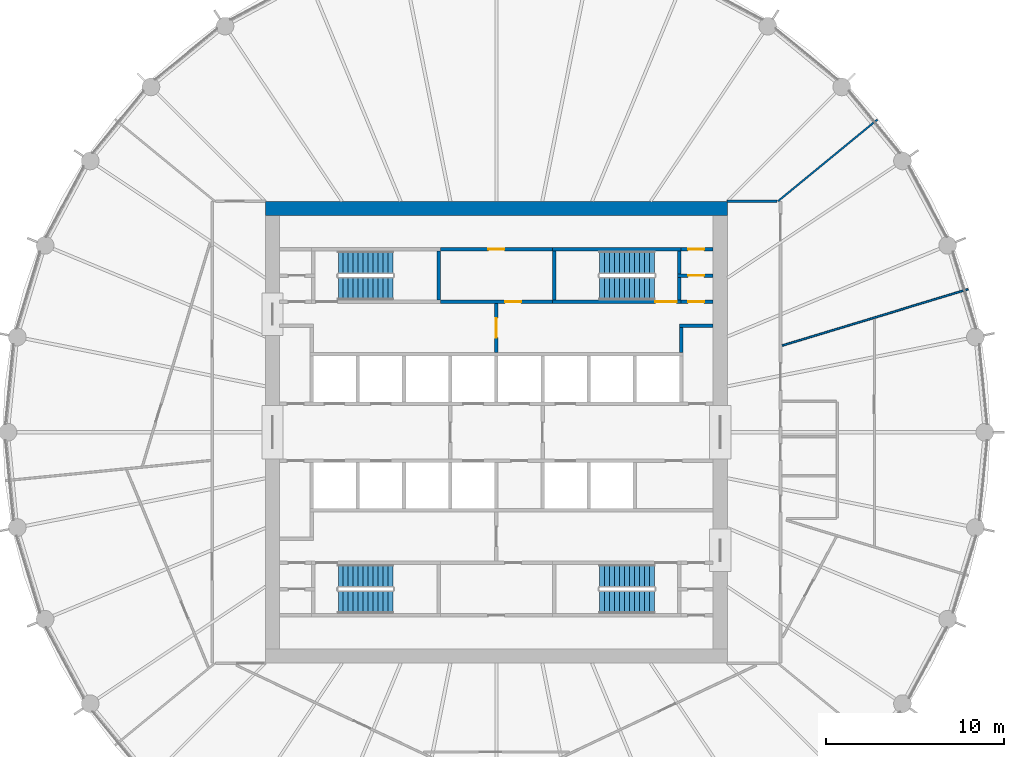
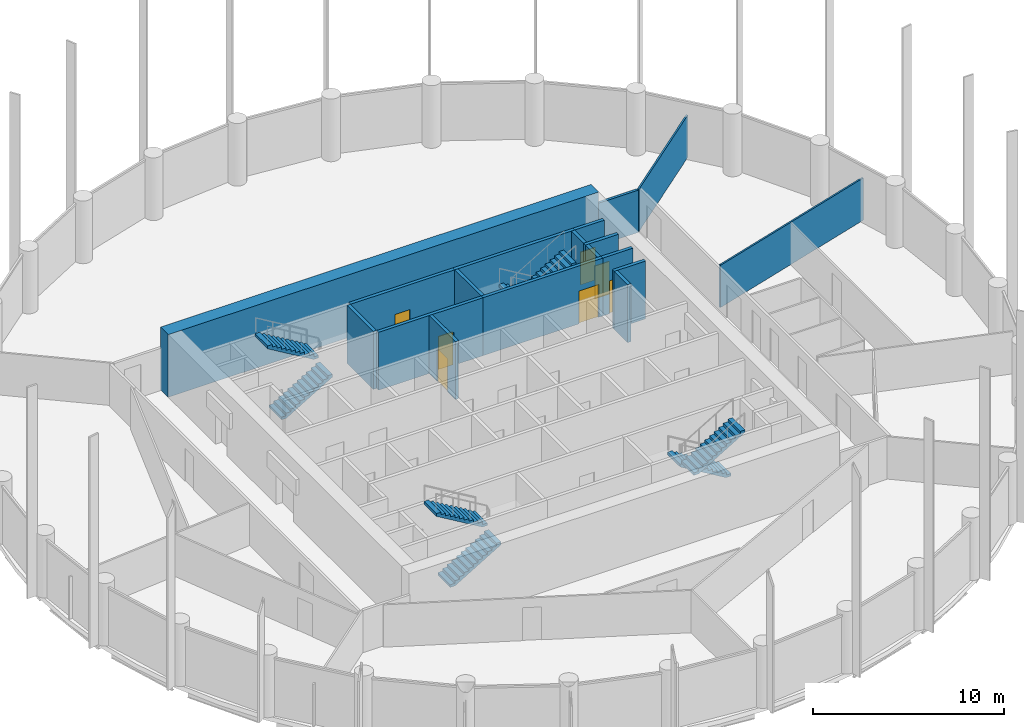
# One storey, part 7 of 8: 18 walls, 8 stair flights, 7 doors, 7 openings, 4 elements without a shape of their own.
"""IFC4 building model written with IfcOpenShell, lengths in metres."""

from ifc_helpers import new_model, si_unit, direction, frame, frame_2d, origin, place, context, subcontext, project, spatial, polyline, rectangle, outline, extrude, material, layer, layer_set, type_object, element, fill, aggregate, save


model = new_model("IFC4")

# Units and contexts
model_context = context("Model", 3, precision=1e-05, world=origin(), true_north=direction((0.0, 1.0)))
body_context = subcontext(model_context, "Body", "Model", "MODEL_VIEW")
ifc_project = project(units=[si_unit("LENGTHUNIT", "METRE"), si_unit("AREAUNIT", "SQUARE_METRE"), si_unit("VOLUMEUNIT", "CUBIC_METRE"), si_unit("PLANEANGLEUNIT", "RADIAN"), si_unit("MASSUNIT", "GRAM", prefix="KILO")], contexts=[model_context])

# Site, building, storey
site_placement = place(None, origin())
site = spatial("IfcSite", under=ifc_project, at=site_placement, CompositionType="ELEMENT")
building_placement = place(site_placement, origin())
building = spatial("IfcBuilding", under=site, at=building_placement, Name="Corvane Civic Tower", CompositionType="ELEMENT")
storey_placement = place(building_placement, frame((0.0, 0.0, 249.5)))
storey = spatial("IfcBuildingStorey", under=building, at=storey_placement, Name="L59", CompositionType="ELEMENT", Elevation=249.5)

# Wall
ifc_material_1 = material(Name="Concrete C50/60", Category="concrete")
ifc_layer_1 = layer(ifc_material_1, 0.800048828125)
ifc_layer_set_1 = layer_set([ifc_layer_1], Name="Concrete C50/60")
wall_type_1 = type_object("IfcWallType", Name="CORE WALL 800 C50/60", PredefinedType="SHEAR", material=ifc_layer_set_1)
wall_1_placement = place(storey_placement, frame((-13.0, 12.60009765625, 0.0), z_axis=(0.0, 0.0, 1.0), x_axis=(1.0, 0.0, 0.0)))
element("IfcWall", 1, at=wall_1_placement, inside=storey, type_object=wall_type_1, Name="W-L59-core-N", PredefinedType="SHEAR", context=body_context, shape_type="SweptSolid", body=[
    extrude(rectangle(XDim=26.0, YDim=0.800048828125, at=frame_2d((13.0, 0.0))), origin(), (0.0, 0.0, 1.0), 4.0),
])

# Wall, opening, door
ifc_material_2 = material(Name="Concrete C30/37", Category="concrete")
ifc_layer_2 = layer(ifc_material_2, 0.199951171875)
ifc_layer_set_2 = layer_set([ifc_layer_2], Name="Concrete C30/37")
wall_type_2 = type_object("IfcWallType", Name="CR-WALL-200", PredefinedType="PARTITIONING", material=ifc_layer_set_2)
wall_2_placement = place(storey_placement, frame((-3.14990234375, 7.35009765625, 0.0), z_axis=(0.0, 0.0, 1.0), x_axis=(1.0, 0.0, 0.0)))
wall_2 = element("IfcWall", 2, at=wall_2_placement, inside=storey, type_object=wall_type_2, Name="L59 partition wall", PredefinedType="PARTITIONING", context=body_context, shape_type="SweptSolid", body=[
    extrude(rectangle(XDim=6.2998046875, YDim=0.199951171875, at=frame_2d((3.14990234375, 0.0))), origin(), (0.0, 0.0, 1.0), 3.699951171875),
])
opening_1_placement = place(wall_2_placement, frame((3.64990234375, 0.0, 0.0)))
opening_1 = element("IfcOpeningElement", 3, at=opening_1_placement, cuts=wall_2, Name="Opening L59.C06", PredefinedType="OPENING", context=body_context, shape_type="SweptSolid", body=[
    extrude(rectangle(XDim=0.89990234375, YDim=2.10009765625, at=frame_2d((0.449951171875, 1.050048828125))), frame((0.0, 0.10986328125, 0.0), z_axis=(0.0, -1.0, 0.0), x_axis=(1.0, 0.0, 0.0)), (0.0, 0.0, 1.0), 0.219970703125),
])
ifc_material_3 = material(Name="Steel fire door leaf", Category="steel")
door_type_1 = type_object("IfcDoorType", Name="CR-DOOR-900", OperationType="SINGLE_SWING_LEFT", PredefinedType="DOOR", material=ifc_material_3)
door_1_placement = place(opening_1_placement, origin())
door_1 = element("IfcDoor", 4, at=door_1_placement, inside=storey, type_object=door_type_1, Name="L59 door", OperationType="SINGLE_SWING_LEFT", OverallHeight=2.10009765625, OverallWidth=0.89990234375, PredefinedType="DOOR", context=body_context, shape_type="SweptSolid", body=[
    extrude(rectangle(XDim=0.89990234375, YDim=2.10009765625, at=frame_2d((0.449951171875, 1.050048828125))), frame((0.0, 0.02490234375, 0.0), z_axis=(0.0, -1.0, 0.0), x_axis=(1.0, 0.0, 0.0)), (0.0, 0.0, 1.0), 0.050048828125),
])
fill(opening_1, door_1)

wall_3_placement = place(storey_placement, frame((10.39990234375, 7.35009765625, 0.0), z_axis=(0.0, 0.0, 1.0), x_axis=(1.0, 0.0, 0.0)))
wall_3 = element("IfcWall", 5, at=wall_3_placement, inside=storey, type_object=wall_type_2, Name="L59 core partition wall", PredefinedType="PARTITIONING", context=body_context, shape_type="SweptSolid", body=[
    extrude(rectangle(XDim=1.800048828125, YDim=0.199951171875, at=frame_2d((0.89990234375, 0.0))), origin(), (0.0, 0.0, 1.0), 3.699951171875),
])
opening_2_placement = place(wall_3_placement, frame((0.39990234375, 0.0, 0.0)))
opening_2 = element("IfcOpeningElement", 6, at=opening_2_placement, cuts=wall_3, Name="Opening L59.C14", PredefinedType="OPENING", context=body_context, shape_type="SweptSolid", body=[
    extrude(rectangle(XDim=0.89990234375, YDim=2.10009765625, at=frame_2d((0.449951171875, 1.050048828125))), frame((0.0, 0.10986328125, 0.0), z_axis=(0.0, -1.0, 0.0), x_axis=(1.0, 0.0, 0.0)), (0.0, 0.0, 1.0), 0.219970703125),
])
door_2_placement = place(opening_2_placement, origin())
door_2 = element("IfcDoor", 7, at=door_2_placement, inside=storey, type_object=door_type_1, Name="L59 door", OperationType="SINGLE_SWING_LEFT", OverallHeight=2.10009765625, OverallWidth=0.89990234375, PredefinedType="DOOR", context=body_context, shape_type="SweptSolid", body=[
    extrude(rectangle(XDim=0.89990234375, YDim=2.10009765625, at=frame_2d((0.449951171875, 1.050048828125))), frame((0.0, 0.02490234375, 0.0), z_axis=(0.0, -1.0, 0.0), x_axis=(1.0, 0.0, 0.0)), (0.0, 0.0, 1.0), 0.050048828125),
])
fill(opening_2, door_2)

wall_4_placement = place(storey_placement, frame((10.199951171875, 8.824951171875, 0.0), z_axis=(0.0, 0.0, 1.0), x_axis=(1.0, 0.0, 0.0)))
wall_4 = element("IfcWall", 8, at=wall_4_placement, inside=storey, type_object=wall_type_2, Name="L59 partition wall", PredefinedType="PARTITIONING", context=body_context, shape_type="SweptSolid", body=[
    extrude(rectangle(XDim=2.0, YDim=0.199951171875, at=frame_2d((1.0, 0.0))), origin(), (0.0, 0.0, 1.0), 3.699951171875),
])
opening_3_placement = place(wall_4_placement, frame((0.60009765625, 0.0, 0.0)))
opening_3 = element("IfcOpeningElement", 9, at=opening_3_placement, cuts=wall_4, Name="Opening L59.C15", PredefinedType="OPENING", context=body_context, shape_type="SweptSolid", body=[
    extrude(rectangle(XDim=0.89990234375, YDim=2.10009765625, at=frame_2d((0.449951171875, 1.050048828125))), frame((0.0, 0.10986328125, 0.0), z_axis=(0.0, -1.0, 0.0), x_axis=(1.0, 0.0, 0.0)), (0.0, 0.0, 1.0), 0.219970703125),
])
door_3_placement = place(opening_3_placement, origin())
door_3 = element("IfcDoor", 10, at=door_3_placement, inside=storey, type_object=door_type_1, Name="L59 door", OperationType="SINGLE_SWING_LEFT", OverallHeight=2.10009765625, OverallWidth=0.89990234375, PredefinedType="DOOR", context=body_context, shape_type="SweptSolid", body=[
    extrude(rectangle(XDim=0.89990234375, YDim=2.10009765625, at=frame_2d((0.449951171875, 1.050048828125))), frame((0.0, 0.02490234375, 0.0), z_axis=(0.0, -1.0, 0.0), x_axis=(1.0, 0.0, 0.0)), (0.0, 0.0, 1.0), 0.050048828125),
])
fill(opening_3, door_3)

wall_5_placement = place(storey_placement, frame((-3.14990234375, 10.300048828125, 0.0), z_axis=(0.0, 0.0, 1.0), x_axis=(1.0, 0.0, 0.0)))
wall_5 = element("IfcWall", 11, at=wall_5_placement, inside=storey, type_object=wall_type_2, Name="L59 partition wall", PredefinedType="PARTITIONING", context=body_context, shape_type="SweptSolid", body=[
    extrude(rectangle(XDim=6.2998046875, YDim=0.199951171875, at=frame_2d((3.14990234375, 0.0))), origin(), (0.0, 0.0, 1.0), 3.699951171875),
])
opening_4_placement = place(wall_5_placement, frame((2.699951171875, 0.0, 0.0)))
opening_4 = element("IfcOpeningElement", 12, at=opening_4_placement, cuts=wall_5, Name="Opening L59.C08", PredefinedType="OPENING", context=body_context, shape_type="SweptSolid", body=[
    extrude(rectangle(XDim=0.89990234375, YDim=2.10009765625, at=frame_2d((0.449951171875, 1.050048828125))), frame((0.0, 0.10986328125, 0.0), z_axis=(0.0, -1.0, 0.0), x_axis=(1.0, 0.0, 0.0)), (0.0, 0.0, 1.0), 0.219970703125),
])
door_4_placement = place(opening_4_placement, origin())
door_4 = element("IfcDoor", 13, at=door_4_placement, inside=storey, type_object=door_type_1, Name="L59 door", OperationType="SINGLE_SWING_LEFT", OverallHeight=2.10009765625, OverallWidth=0.89990234375, PredefinedType="DOOR", context=body_context, shape_type="SweptSolid", body=[
    extrude(rectangle(XDim=0.89990234375, YDim=2.10009765625, at=frame_2d((0.449951171875, 1.050048828125))), frame((0.0, 0.02490234375, 0.0), z_axis=(0.0, -1.0, 0.0), x_axis=(1.0, 0.0, 0.0)), (0.0, 0.0, 1.0), 0.050048828125),
])
fill(opening_4, door_4)

wall_6_placement = place(storey_placement, frame((10.39990234375, 10.300048828125, 0.0), z_axis=(0.0, 0.0, 1.0), x_axis=(1.0, 0.0, 0.0)))
wall_6 = element("IfcWall", 14, at=wall_6_placement, inside=storey, type_object=wall_type_2, Name="L59 partition wall", PredefinedType="PARTITIONING", context=body_context, shape_type="SweptSolid", body=[
    extrude(rectangle(XDim=1.800048828125, YDim=0.199951171875, at=frame_2d((0.89990234375, 0.0))), origin(), (0.0, 0.0, 1.0), 3.699951171875),
])
opening_5_placement = place(wall_6_placement, frame((0.39990234375, 0.0, 0.0)))
opening_5 = element("IfcOpeningElement", 15, at=opening_5_placement, cuts=wall_6, Name="Opening L59.C16", PredefinedType="OPENING", context=body_context, shape_type="SweptSolid", body=[
    extrude(rectangle(XDim=0.89990234375, YDim=2.10009765625, at=frame_2d((0.449951171875, 1.050048828125))), frame((0.0, 0.10986328125, 0.0), z_axis=(0.0, -1.0, 0.0), x_axis=(1.0, 0.0, 0.0)), (0.0, 0.0, 1.0), 0.219970703125),
])
door_5_placement = place(opening_5_placement, origin())
door_5 = element("IfcDoor", 16, at=door_5_placement, inside=storey, type_object=door_type_1, Name="L59 door", OperationType="SINGLE_SWING_LEFT", OverallHeight=2.10009765625, OverallWidth=0.89990234375, PredefinedType="DOOR", context=body_context, shape_type="SweptSolid", body=[
    extrude(rectangle(XDim=0.89990234375, YDim=2.10009765625, at=frame_2d((0.449951171875, 1.050048828125))), frame((0.0, 0.02490234375, 0.0), z_axis=(0.0, -1.0, 0.0), x_axis=(1.0, 0.0, 0.0)), (0.0, 0.0, 1.0), 0.050048828125),
])
fill(opening_5, door_5)

wall_7_placement = place(storey_placement, frame((0.0, 4.5, 0.0), z_axis=(0.0, 0.0, 1.0), x_axis=(0.0, 1.0, 0.0)))
wall_7 = element("IfcWall", 17, at=wall_7_placement, inside=storey, type_object=wall_type_2, Name="L59 core partition wall", PredefinedType="PARTITIONING", context=body_context, shape_type="SweptSolid", body=[
    extrude(rectangle(XDim=2.75, YDim=0.199951171875, at=frame_2d((1.375, 0.0))), origin(), (0.0, 0.0, 1.0), 3.699951171875),
])
opening_6_placement = place(wall_7_placement, frame((0.824951171875, 0.0, 0.0)))
opening_6 = element("IfcOpeningElement", 18, at=opening_6_placement, cuts=wall_7, Name="Opening L59.C26", PredefinedType="OPENING", context=body_context, shape_type="SweptSolid", body=[
    extrude(rectangle(XDim=1.10009765625, YDim=2.10009765625, at=frame_2d((0.550048828125, 1.050048828125))), frame((0.0, 0.10986328125, 0.0), z_axis=(0.0, -1.0, 0.0), x_axis=(1.0, 0.0, 0.0)), (0.0, 0.0, 1.0), 0.219970703125),
])
ifc_material_4 = material(Name="Steel fire door leaf", Category="steel")
door_type_2 = type_object("IfcDoorType", Name="CR-DOOR-FFL-1100", OperationType="SINGLE_SWING_LEFT", PredefinedType="DOOR", material=ifc_material_4)
door_6_placement = place(opening_6_placement, origin())
door_6 = element("IfcDoor", 19, at=door_6_placement, inside=storey, type_object=door_type_2, Name="L59 lobby door", OperationType="SINGLE_SWING_LEFT", OverallHeight=2.10009765625, OverallWidth=1.10009765625, PredefinedType="DOOR", context=body_context, shape_type="SweptSolid", body=[
    extrude(rectangle(XDim=1.10009765625, YDim=2.10009765625, at=frame_2d((0.550048828125, 1.050048828125))), frame((0.0, 0.02490234375, 0.0), z_axis=(0.0, -1.0, 0.0), x_axis=(1.0, 0.0, 0.0)), (0.0, 0.0, 1.0), 0.050048828125),
])
fill(opening_6, door_6)

# Walls
wall_8_placement = place(storey_placement, origin())
element("IfcWall", 20, at=wall_8_placement, inside=storey, type_object=wall_type_2, Name="L59 core partition wall", PredefinedType="PARTITIONING", context=body_context, shape_type="SweptSolid", body=[
    extrude(outline(polyline([(12.199951171875, 5.89990234375), (10.300048828125, 5.89990234375), (10.300048828125, 6.10009765625), (12.199951171875, 6.10009765625), (12.199951171875, 5.89990234375)])), origin(), (0.0, 0.0, 1.0), 3.699951171875),
])
wall_9_placement = place(storey_placement, origin())
element("IfcWall", 21, at=wall_9_placement, inside=storey, type_object=wall_type_2, Name="L59 core partition wall", PredefinedType="PARTITIONING", context=body_context, shape_type="SweptSolid", body=[
    extrude(outline(polyline([(10.5, 4.5), (10.300048828125, 4.5), (10.300048828125, 5.89990234375), (10.5, 5.89990234375), (10.5, 4.5)])), origin(), (0.0, 0.0, 1.0), 3.699951171875),
])
ifc_material_5 = material(Name="Plasterboard")
ifc_layer_3 = layer(ifc_material_5, 0.10009765625)
ifc_layer_set_3 = layer_set([ifc_layer_3], Name="Plasterboard")
wall_type_3 = type_object("IfcWallType", Name="Partition 100 plasterboard on studs", PredefinedType="PARTITIONING", material=ifc_layer_set_3)
wall_10_placement = place(storey_placement, frame((16.089599609375, 4.880615234375, 0.0), z_axis=(0.0, 0.0, 1.0), x_axis=(0.956939502521, 0.290287423971, 0.0)))
element("IfcWall", 22, at=wall_10_placement, inside=storey, type_object=wall_type_3, Name="Partition L59.022", PredefinedType="PARTITIONING", context=body_context, shape_type="SweptSolid", body=[
    extrude(rectangle(XDim=10.936767578125, YDim=0.10009765625, at=frame_2d((5.46826171875, 0.0))), origin(), (0.0, 0.0, 1.0), 2.699951171875),
])
wall_11_placement = place(storey_placement, frame((15.8544921875, 13.01123046875, 0.0), z_axis=(0.0, 0.0, 1.0), x_axis=(0.772997895748, 0.634408585352, 0.0)))
element("IfcWall", 23, at=wall_11_placement, inside=storey, type_object=wall_type_3, Name="Partition L59.027", PredefinedType="PARTITIONING", context=body_context, shape_type="SweptSolid", body=[
    extrude(rectangle(XDim=7.240234375, YDim=0.10009765625, at=frame_2d((3.6201171875, 0.0))), origin(), (0.0, 0.0, 1.0), 2.699951171875),
])

# Wall, opening, door
ifc_material_6 = material(Name="Concrete C50/60", Category="concrete")
ifc_layer_4 = layer(ifc_material_6, 0.199951171875)
ifc_layer_set_4 = layer_set([ifc_layer_4], Name="Concrete C50/60")
wall_type_4 = type_object("IfcWallType", Name="ST-WALL-200", PredefinedType="SHEAR", material=ifc_layer_set_4)
wall_12_placement = place(storey_placement, frame((3.14990234375, 7.35009765625, 0.0), z_axis=(0.0, 0.0, 1.0), x_axis=(1.0, 0.0, 0.0)))
wall_12 = element("IfcWall", 24, at=wall_12_placement, inside=storey, type_object=wall_type_4, Name="L59 stair enclosure wall", PredefinedType="SHEAR", context=body_context, shape_type="SweptSolid", body=[
    extrude(rectangle(XDim=7.25, YDim=0.199951171875, at=frame_2d((3.625, 0.0))), origin(), (0.0, 0.0, 1.0), 3.699951171875),
])
opening_7_placement = place(wall_12_placement, frame((5.800048828125, 0.0, 0.0)))
opening_7 = element("IfcOpeningElement", 25, at=opening_7_placement, cuts=wall_12, Name="Opening L59.C20", PredefinedType="OPENING", context=body_context, shape_type="SweptSolid", body=[
    extrude(rectangle(XDim=1.199951171875, YDim=2.10009765625, at=frame_2d((0.60009765625, 1.050048828125))), frame((0.0, 0.10986328125, 0.0), z_axis=(0.0, -1.0, 0.0), x_axis=(1.0, 0.0, 0.0)), (0.0, 0.0, 1.0), 0.219970703125),
])
ifc_material_7 = material(Name="Steel fire door leaf", Category="steel")
door_type_3 = type_object("IfcDoorType", Name="ST-DOOR-1200", OperationType="SINGLE_SWING_RIGHT", PredefinedType="DOOR", material=ifc_material_7)
door_7_placement = place(opening_7_placement, origin())
door_7 = element("IfcDoor", 26, at=door_7_placement, inside=storey, type_object=door_type_3, Name="L59 stair door", OperationType="SINGLE_SWING_RIGHT", OverallHeight=2.10009765625, OverallWidth=1.199951171875, PredefinedType="DOOR", context=body_context, shape_type="SweptSolid", body=[
    extrude(rectangle(XDim=1.199951171875, YDim=2.10009765625, at=frame_2d((0.60009765625, 1.050048828125))), frame((0.0, 0.02490234375, 0.0), z_axis=(0.0, -1.0, 0.0), x_axis=(1.0, 0.0, 0.0)), (0.0, 0.0, 1.0), 0.050048828125),
])
fill(opening_7, door_7)

# Walls
wall_13_placement = place(storey_placement, origin())
element("IfcWall", 27, at=wall_13_placement, inside=storey, type_object=wall_type_4, Name="L59 stair enclosure wall", PredefinedType="SHEAR", context=body_context, shape_type="SweptSolid", body=[
    extrude(outline(polyline([(10.39990234375, 10.199951171875), (3.14990234375, 10.199951171875), (3.14990234375, 10.39990234375), (10.39990234375, 10.39990234375), (10.39990234375, 10.199951171875)])), origin(), (0.0, 0.0, 1.0), 3.699951171875),
])
wall_14_placement = place(storey_placement, origin())
element("IfcWall", 28, at=wall_14_placement, inside=storey, type_object=wall_type_4, Name="L59 stair enclosure wall", PredefinedType="SHEAR", context=body_context, shape_type="SweptSolid", body=[
    extrude(outline(polyline([(-3.14990234375, 7.449951171875), (-3.35009765625, 7.449951171875), (-3.35009765625, 10.199951171875), (-3.14990234375, 10.199951171875), (-3.14990234375, 7.449951171875)])), origin(), (0.0, 0.0, 1.0), 3.699951171875),
])
wall_15_placement = place(storey_placement, origin())
element("IfcWall", 29, at=wall_15_placement, inside=storey, type_object=wall_type_4, Name="L59 stair enclosure wall", PredefinedType="SHEAR", context=body_context, shape_type="SweptSolid", body=[
    extrude(outline(polyline([(3.35009765625, 7.449951171875), (3.14990234375, 7.449951171875), (3.14990234375, 10.199951171875), (3.35009765625, 10.199951171875), (3.35009765625, 7.449951171875)])), origin(), (0.0, 0.0, 1.0), 3.699951171875),
])
wall_16_placement = place(storey_placement, origin())
element("IfcWall", 30, at=wall_16_placement, inside=storey, type_object=wall_type_4, Name="L59 stair enclosure wall", PredefinedType="SHEAR", context=body_context, shape_type="SweptSolid", body=[
    extrude(outline(polyline([(10.39990234375, 8.72509765625), (10.39990234375, 7.449951171875), (10.199951171875, 7.449951171875), (10.199951171875, 8.72509765625), (10.39990234375, 8.72509765625)])), origin(), (0.0, 0.0, 1.0), 3.699951171875),
])
wall_17_placement = place(storey_placement, origin())
element("IfcWall", 31, at=wall_17_placement, inside=storey, type_object=wall_type_4, Name="L59 stair enclosure wall", PredefinedType="SHEAR", context=body_context, shape_type="SweptSolid", body=[
    extrude(outline(polyline([(10.39990234375, 8.925048828125), (10.199951171875, 8.925048828125), (10.199951171875, 10.199951171875), (10.39990234375, 10.199951171875), (10.39990234375, 8.925048828125)])), origin(), (0.0, 0.0, 1.0), 3.699951171875),
])
ifc_material_8 = material(Name="Plasterboard")
ifc_layer_5 = layer(ifc_material_8, 0.14990234375)
ifc_layer_set_5 = layer_set([ifc_layer_5], Name="Plasterboard")
wall_type_5 = type_object("IfcWallType", Name="Tenancy wall 150 EI 60", PredefinedType="PARTITIONING", material=ifc_layer_set_5)
wall_18_placement = place(storey_placement, frame((12.989990234375, 13.0, 0.0), z_axis=(0.0, 0.0, 1.0), x_axis=(1.0, 0.0, 0.0)))
element("IfcWall", 32, at=wall_18_placement, inside=storey, type_object=wall_type_5, Name="Partition L59.025", PredefinedType="PARTITIONING", context=body_context, shape_type="SweptSolid", body=[
    extrude(rectangle(XDim=2.82373046875, YDim=0.14990234375, at=frame_2d((1.411865234375, 0.0))), origin(), (0.0, 0.0, 1.0), 2.699951171875),
])

# Stair, stair flights
ifc_material_9 = material(Name="Concrete C40/50", Category="concrete")
stair_type = type_object("IfcStairType", Name="ST-STAIR-HALFTURN", PredefinedType="HALF_TURN_STAIR", material=ifc_material_9)
stair_1_placement = place(storey_placement, origin())
stair_1 = element("IfcStair", 33, at=stair_1_placement, inside=storey, type_object=stair_type, Name="L59 Exit stair ST1", PredefinedType="HALF_TURN_STAIR")
ifc_material_10 = material(Name="Concrete C40/50", Category="concrete")
stair_flight_type = type_object("IfcStairFlightType", Name="ST-FLIGHT-RC", PredefinedType="STRAIGHT", material=ifc_material_10)
stair_flight_1_placement = place(storey_placement, frame((8.89990234375, 9.550048828125, 0.0), z_axis=(0.0, 0.0, 1.0), x_axis=(-1.0, 0.0, 0.0)))
stair_flight_1 = element("IfcStairFlight", 34, at=stair_flight_1_placement, type_object=stair_flight_type, Name="ST1 flight 1", NumberOfRisers=12, NumberOfTreads=11, PredefinedType="STRAIGHT", RiserHeight=0.166666667, TreadLength=0.28, context=body_context, shape_type="SweptSolid", body=[
    extrude(outline(polyline([(0.0, 0.0), (0.0, 0.166748046875), (0.280029296875, 0.166748046875), (0.280029296875, 0.333251953125), (0.56005859375, 0.333251953125), (0.56005859375, 0.5), (0.840087890625, 0.5), (0.840087890625, 0.666748046875), (1.1201171875, 0.666748046875), (1.1201171875, 0.833251953125), (1.39990234375, 0.833251953125), (1.39990234375, 1.0), (1.679931640625, 1.0), (1.679931640625, 1.166748046875), (1.9599609375, 1.166748046875), (1.9599609375, 1.333251953125), (2.239990234375, 1.333251953125), (2.239990234375, 1.5), (2.52001953125, 1.5), (2.52001953125, 1.666748046875), (2.800048828125, 1.666748046875), (2.800048828125, 1.833251953125), (3.080078125, 1.833251953125), (3.080078125, 2.0), (3.080078125, 1.658935546875), (0.29296875, 0.0), (0.0, 0.0)])), frame((0.0, 0.64990234375, 0.0), z_axis=(0.0, -1.0, 0.0), x_axis=(1.0, 0.0, 0.0)), (0.0, 0.0, 1.0), 1.300048828125),
])
stair_flight_2_placement = place(storey_placement, frame((5.820068359375, 8.10009765625, 2.0), z_axis=(0.0, 0.0, 1.0), x_axis=(1.0, 0.0, 0.0)))
stair_flight_2 = element("IfcStairFlight", 35, at=stair_flight_2_placement, type_object=stair_flight_type, Name="ST1 flight 2", NumberOfRisers=12, NumberOfTreads=11, PredefinedType="STRAIGHT", RiserHeight=0.166666667, TreadLength=0.28, context=body_context, shape_type="SweptSolid", body=[
    extrude(outline(polyline([(0.0, 0.0), (0.0, 0.166748046875), (0.280029296875, 0.166748046875), (0.280029296875, 0.333251953125), (0.56005859375, 0.333251953125), (0.56005859375, 0.5), (0.840087890625, 0.5), (0.840087890625, 0.666748046875), (1.1201171875, 0.666748046875), (1.1201171875, 0.833251953125), (1.39990234375, 0.833251953125), (1.39990234375, 1.0), (1.679931640625, 1.0), (1.679931640625, 1.166748046875), (1.9599609375, 1.166748046875), (1.9599609375, 1.333251953125), (2.239990234375, 1.333251953125), (2.239990234375, 1.5), (2.52001953125, 1.5), (2.52001953125, 1.666748046875), (2.800048828125, 1.666748046875), (2.800048828125, 1.833251953125), (3.080078125, 1.833251953125), (3.080078125, 2.0), (3.080078125, 1.658935546875), (0.29296875, 0.0), (0.0, 0.0)])), frame((0.0, 0.64990234375, 0.0), z_axis=(0.0, -1.0, 0.0), x_axis=(1.0, 0.0, 0.0)), (0.0, 0.0, 1.0), 1.300048828125),
])
aggregate(stair_1, [stair_flight_1, stair_flight_2])

stair_2_placement = place(storey_placement, origin())
stair_2 = element("IfcStair", 36, at=stair_2_placement, inside=storey, type_object=stair_type, Name="L59 Exit stair ST2", PredefinedType="HALF_TURN_STAIR")
stair_flight_3_placement = place(storey_placement, frame((8.89990234375, -8.10009765625, 0.0), z_axis=(0.0, 0.0, 1.0), x_axis=(-1.0, 0.0, 0.0)))
stair_flight_3 = element("IfcStairFlight", 37, at=stair_flight_3_placement, type_object=stair_flight_type, Name="ST2 flight 1", NumberOfRisers=12, NumberOfTreads=11, PredefinedType="STRAIGHT", RiserHeight=0.166666667, TreadLength=0.28, context=body_context, shape_type="SweptSolid", body=[
    extrude(outline(polyline([(0.0, 0.0), (0.0, 0.166748046875), (0.280029296875, 0.166748046875), (0.280029296875, 0.333251953125), (0.56005859375, 0.333251953125), (0.56005859375, 0.5), (0.840087890625, 0.5), (0.840087890625, 0.666748046875), (1.1201171875, 0.666748046875), (1.1201171875, 0.833251953125), (1.39990234375, 0.833251953125), (1.39990234375, 1.0), (1.679931640625, 1.0), (1.679931640625, 1.166748046875), (1.9599609375, 1.166748046875), (1.9599609375, 1.333251953125), (2.239990234375, 1.333251953125), (2.239990234375, 1.5), (2.52001953125, 1.5), (2.52001953125, 1.666748046875), (2.800048828125, 1.666748046875), (2.800048828125, 1.833251953125), (3.080078125, 1.833251953125), (3.080078125, 2.0), (3.080078125, 1.658935546875), (0.29296875, 0.0), (0.0, 0.0)])), frame((0.0, 0.64990234375, 0.0), z_axis=(0.0, -1.0, 0.0), x_axis=(1.0, 0.0, 0.0)), (0.0, 0.0, 1.0), 1.300048828125),
])
stair_flight_4_placement = place(storey_placement, frame((5.820068359375, -9.550048828125, 2.0), z_axis=(0.0, 0.0, 1.0), x_axis=(1.0, 0.0, 0.0)))
stair_flight_4 = element("IfcStairFlight", 38, at=stair_flight_4_placement, type_object=stair_flight_type, Name="ST2 flight 2", NumberOfRisers=12, NumberOfTreads=11, PredefinedType="STRAIGHT", RiserHeight=0.166666667, TreadLength=0.28, context=body_context, shape_type="SweptSolid", body=[
    extrude(outline(polyline([(0.0, 0.0), (0.0, 0.166748046875), (0.280029296875, 0.166748046875), (0.280029296875, 0.333251953125), (0.56005859375, 0.333251953125), (0.56005859375, 0.5), (0.840087890625, 0.5), (0.840087890625, 0.666748046875), (1.1201171875, 0.666748046875), (1.1201171875, 0.833251953125), (1.39990234375, 0.833251953125), (1.39990234375, 1.0), (1.679931640625, 1.0), (1.679931640625, 1.166748046875), (1.9599609375, 1.166748046875), (1.9599609375, 1.333251953125), (2.239990234375, 1.333251953125), (2.239990234375, 1.5), (2.52001953125, 1.5), (2.52001953125, 1.666748046875), (2.800048828125, 1.666748046875), (2.800048828125, 1.833251953125), (3.080078125, 1.833251953125), (3.080078125, 2.0), (3.080078125, 1.658935546875), (0.29296875, 0.0), (0.0, 0.0)])), frame((0.0, 0.64990234375, 0.0), z_axis=(0.0, -1.0, 0.0), x_axis=(1.0, 0.0, 0.0)), (0.0, 0.0, 1.0), 1.300048828125),
])
aggregate(stair_2, [stair_flight_3, stair_flight_4])

stair_3_placement = place(storey_placement, origin())
stair_3 = element("IfcStair", 39, at=stair_3_placement, inside=storey, type_object=stair_type, Name="L59 Exit stair ST3", PredefinedType="HALF_TURN_STAIR")
stair_flight_5_placement = place(storey_placement, frame((-8.89990234375, -9.550048828125, 0.0), z_axis=(0.0, 0.0, 1.0), x_axis=(1.0, 0.0, 0.0)))
stair_flight_5 = element("IfcStairFlight", 40, at=stair_flight_5_placement, type_object=stair_flight_type, Name="ST3 flight 1", NumberOfRisers=12, NumberOfTreads=11, PredefinedType="STRAIGHT", RiserHeight=0.166666667, TreadLength=0.28, context=body_context, shape_type="SweptSolid", body=[
    extrude(outline(polyline([(0.0, 0.0), (0.0, 0.166748046875), (0.280029296875, 0.166748046875), (0.280029296875, 0.333251953125), (0.56005859375, 0.333251953125), (0.56005859375, 0.5), (0.840087890625, 0.5), (0.840087890625, 0.666748046875), (1.1201171875, 0.666748046875), (1.1201171875, 0.833251953125), (1.39990234375, 0.833251953125), (1.39990234375, 1.0), (1.679931640625, 1.0), (1.679931640625, 1.166748046875), (1.9599609375, 1.166748046875), (1.9599609375, 1.333251953125), (2.239990234375, 1.333251953125), (2.239990234375, 1.5), (2.52001953125, 1.5), (2.52001953125, 1.666748046875), (2.800048828125, 1.666748046875), (2.800048828125, 1.833251953125), (3.080078125, 1.833251953125), (3.080078125, 2.0), (3.080078125, 1.658935546875), (0.29296875, 0.0), (0.0, 0.0)])), frame((0.0, 0.64990234375, 0.0), z_axis=(0.0, -1.0, 0.0), x_axis=(1.0, 0.0, 0.0)), (0.0, 0.0, 1.0), 1.300048828125),
])
stair_flight_6_placement = place(storey_placement, frame((-5.820068359375, -8.10009765625, 2.0), z_axis=(0.0, 0.0, 1.0), x_axis=(-1.0, 0.0, 0.0)))
stair_flight_6 = element("IfcStairFlight", 41, at=stair_flight_6_placement, type_object=stair_flight_type, Name="ST3 flight 2", NumberOfRisers=12, NumberOfTreads=11, PredefinedType="STRAIGHT", RiserHeight=0.166666667, TreadLength=0.28, context=body_context, shape_type="SweptSolid", body=[
    extrude(outline(polyline([(0.0, 0.0), (0.0, 0.166748046875), (0.280029296875, 0.166748046875), (0.280029296875, 0.333251953125), (0.56005859375, 0.333251953125), (0.56005859375, 0.5), (0.840087890625, 0.5), (0.840087890625, 0.666748046875), (1.1201171875, 0.666748046875), (1.1201171875, 0.833251953125), (1.39990234375, 0.833251953125), (1.39990234375, 1.0), (1.679931640625, 1.0), (1.679931640625, 1.166748046875), (1.9599609375, 1.166748046875), (1.9599609375, 1.333251953125), (2.239990234375, 1.333251953125), (2.239990234375, 1.5), (2.52001953125, 1.5), (2.52001953125, 1.666748046875), (2.800048828125, 1.666748046875), (2.800048828125, 1.833251953125), (3.080078125, 1.833251953125), (3.080078125, 2.0), (3.080078125, 1.658935546875), (0.29296875, 0.0), (0.0, 0.0)])), frame((0.0, 0.64990234375, 0.0), z_axis=(0.0, -1.0, 0.0), x_axis=(1.0, 0.0, 0.0)), (0.0, 0.0, 1.0), 1.300048828125),
])
aggregate(stair_3, [stair_flight_5, stair_flight_6])

stair_4_placement = place(storey_placement, origin())
stair_4 = element("IfcStair", 42, at=stair_4_placement, inside=storey, type_object=stair_type, Name="L59 Exit stair ST4", PredefinedType="HALF_TURN_STAIR")
stair_flight_7_placement = place(storey_placement, frame((-8.89990234375, 8.10009765625, 0.0), z_axis=(0.0, 0.0, 1.0), x_axis=(1.0, 0.0, 0.0)))
stair_flight_7 = element("IfcStairFlight", 43, at=stair_flight_7_placement, type_object=stair_flight_type, Name="ST4 flight 1", NumberOfRisers=12, NumberOfTreads=11, PredefinedType="STRAIGHT", RiserHeight=0.166666667, TreadLength=0.28, context=body_context, shape_type="SweptSolid", body=[
    extrude(outline(polyline([(0.0, 0.0), (0.0, 0.166748046875), (0.280029296875, 0.166748046875), (0.280029296875, 0.333251953125), (0.56005859375, 0.333251953125), (0.56005859375, 0.5), (0.840087890625, 0.5), (0.840087890625, 0.666748046875), (1.1201171875, 0.666748046875), (1.1201171875, 0.833251953125), (1.39990234375, 0.833251953125), (1.39990234375, 1.0), (1.679931640625, 1.0), (1.679931640625, 1.166748046875), (1.9599609375, 1.166748046875), (1.9599609375, 1.333251953125), (2.239990234375, 1.333251953125), (2.239990234375, 1.5), (2.52001953125, 1.5), (2.52001953125, 1.666748046875), (2.800048828125, 1.666748046875), (2.800048828125, 1.833251953125), (3.080078125, 1.833251953125), (3.080078125, 2.0), (3.080078125, 1.658935546875), (0.29296875, 0.0), (0.0, 0.0)])), frame((0.0, 0.64990234375, 0.0), z_axis=(0.0, -1.0, 0.0), x_axis=(1.0, 0.0, 0.0)), (0.0, 0.0, 1.0), 1.300048828125),
])
stair_flight_8_placement = place(storey_placement, frame((-5.820068359375, 9.550048828125, 2.0), z_axis=(0.0, 0.0, 1.0), x_axis=(-1.0, 0.0, 0.0)))
stair_flight_8 = element("IfcStairFlight", 44, at=stair_flight_8_placement, type_object=stair_flight_type, Name="ST4 flight 2", NumberOfRisers=12, NumberOfTreads=11, PredefinedType="STRAIGHT", RiserHeight=0.166666667, TreadLength=0.28, context=body_context, shape_type="SweptSolid", body=[
    extrude(outline(polyline([(0.0, 0.0), (0.0, 0.166748046875), (0.280029296875, 0.166748046875), (0.280029296875, 0.333251953125), (0.56005859375, 0.333251953125), (0.56005859375, 0.5), (0.840087890625, 0.5), (0.840087890625, 0.666748046875), (1.1201171875, 0.666748046875), (1.1201171875, 0.833251953125), (1.39990234375, 0.833251953125), (1.39990234375, 1.0), (1.679931640625, 1.0), (1.679931640625, 1.166748046875), (1.9599609375, 1.166748046875), (1.9599609375, 1.333251953125), (2.239990234375, 1.333251953125), (2.239990234375, 1.5), (2.52001953125, 1.5), (2.52001953125, 1.666748046875), (2.800048828125, 1.666748046875), (2.800048828125, 1.833251953125), (3.080078125, 1.833251953125), (3.080078125, 2.0), (3.080078125, 1.658935546875), (0.29296875, 0.0), (0.0, 0.0)])), frame((0.0, 0.64990234375, 0.0), z_axis=(0.0, -1.0, 0.0), x_axis=(1.0, 0.0, 0.0)), (0.0, 0.0, 1.0), 1.300048828125),
])
aggregate(stair_4, [stair_flight_7, stair_flight_8])

save(model, "model.ifc")
